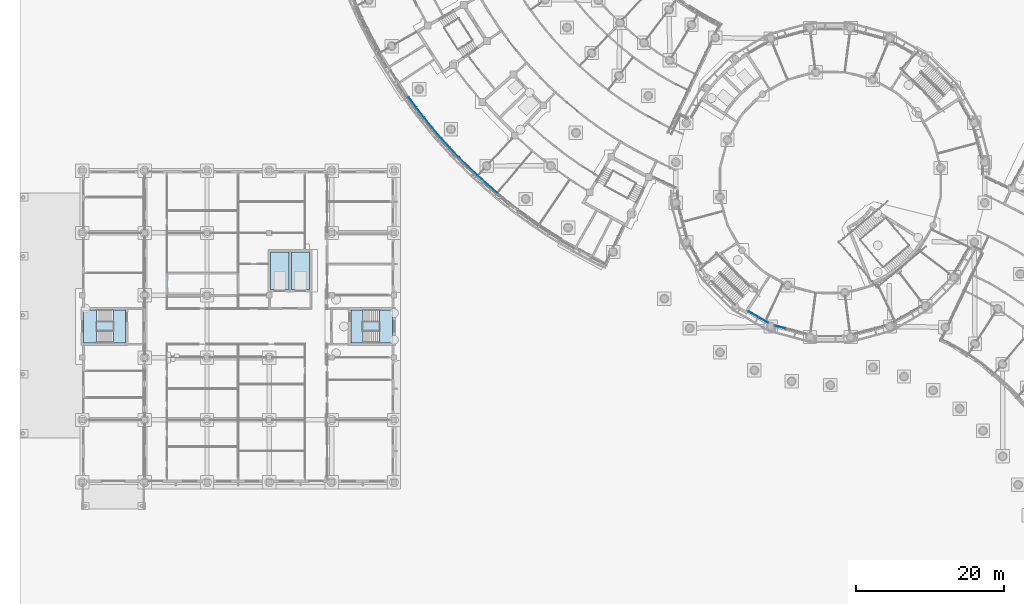
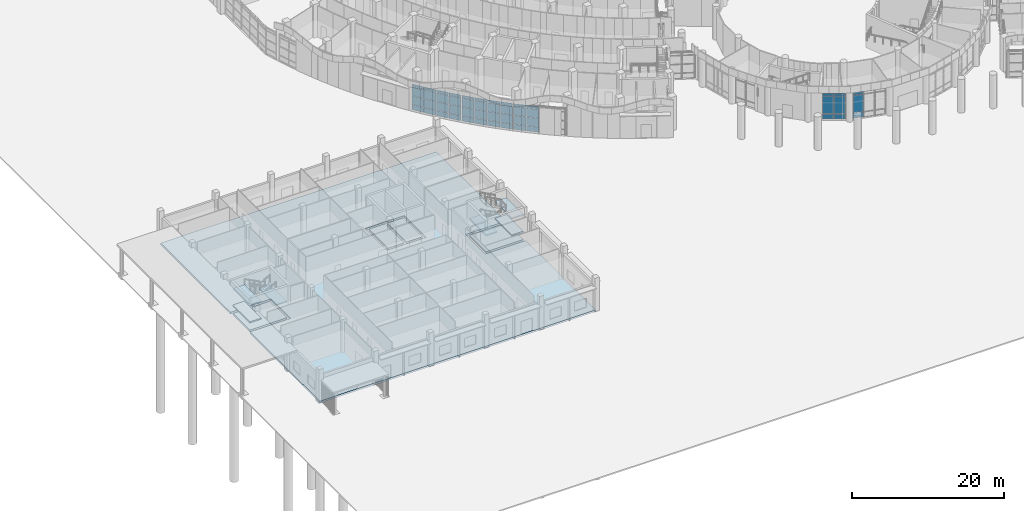
# One storey, part 39 of 146: 49 plates, 11 slabs, 7 elements without a shape of their own.
"""IFC4 building model written with IfcOpenShell, lengths in metres."""

import ifcopenshell
import ifcopenshell.guid

model = None  # the IFC model being written
_history = None  # IfcOwnerHistory: only IFC2X3 demands one
_inside = {}  # id of a spatial element -> (the spatial element, [elements in it])
_under = {}  # id of a project, library or spatial element -> (it, [spatial elements below it])
_declared = {}  # id of a project -> (the project, [libraries it declares])
_typed = {}  # id of a type object -> (the type object, [elements of that type])
_made_of = {}  # id of a material, layer set ... -> (it, [elements and type objects made of it])


def new_model(schema):
    """Start an empty IFC model of exactly this schema.

    Asked for "IFC4X3", IfcOpenShell would pick the latest addendum, in which some entities
    have other attributes; the version numbers below select the first issue.
    IFC2X3 requires an IfcOwnerHistory on every rooted entity: one is made here for all.
    """
    global model, _history
    if schema == "IFC4X3":
        model = ifcopenshell.file(schema_version=(4, 3, 0, 0))
    else:
        model = ifcopenshell.file(schema=schema)
    _inside.clear()
    _under.clear()
    _declared.clear()
    _typed.clear()
    _made_of.clear()
    _history = None
    if model.schema == "IFC2X3":
        org = make("IfcOrganization", Name="unknown")
        user = make(
            "IfcPersonAndOrganization",
            ThePerson=make("IfcPerson", FamilyName="unknown"),
            TheOrganization=org,
        )
        app = make(
            "IfcApplication",
            ApplicationDeveloper=org,
            Version="unknown",
            ApplicationFullName="unknown",
            ApplicationIdentifier="unknown",
        )
        _history = make(
            "IfcOwnerHistory",
            OwningUser=user,
            OwningApplication=app,
            ChangeAction="ADDED",
            CreationDate=0,
        )
    return model


def make(cls, **values):
    """One entity of the class cls with the attributes given. An attribute that is None is left unset."""
    return model.create_entity(
        cls, **{name: value for name, value in values.items() if value is not None}
    )


def rooted(cls, **values):
    """An entity with a GlobalId (a new one), such as an element, a storey or a relation."""
    return make(cls, GlobalId=ifcopenshell.guid.new(), OwnerHistory=_history, **values)


def si_unit(unit_type, name, prefix=None):
    """IfcSIUnit, for example si_unit("LENGTHUNIT", "METRE", prefix="MILLI")."""
    return make("IfcSIUnit", UnitType=unit_type, Prefix=prefix, Name=name)


def assignment(units):
    """IfcUnitAssignment: the units of a project."""
    return None if units is None else make("IfcUnitAssignment", Units=units)


def point(xyz):
    """IfcCartesianPoint."""
    return None if xyz is None else make("IfcCartesianPoint", Coordinates=xyz)


def direction(xyz):
    """IfcDirection."""
    return None if xyz is None else make("IfcDirection", DirectionRatios=xyz)


def frame(location, z_axis=None, x_axis=None):
    """IfcAxis2Placement3D, a coordinate frame: its origin and axes. An axis left out is left unset."""
    return make(
        "IfcAxis2Placement3D",
        Location=point(location),
        Axis=direction(z_axis),
        RefDirection=direction(x_axis),
    )


def frame_2d(location, x_axis=None):
    """IfcAxis2Placement2D, a coordinate frame in the plane: its origin and x axis."""
    return make(
        "IfcAxis2Placement2D", Location=point(location), RefDirection=direction(x_axis)
    )


def origin():
    """The frame at (0, 0, 0) with its axes left unset."""
    return frame((0.0, 0.0, 0.0))


def origin_2d():
    """The frame at (0, 0) in the plane with its x axis left unset."""
    return frame_2d((0.0, 0.0))


def place(relative_to, where):
    """IfcLocalPlacement: puts the frame where relative to a parent placement (None: the world)."""
    return make(
        "IfcLocalPlacement", PlacementRelTo=relative_to, RelativePlacement=where
    )


def context(
    kind, dimensions, precision=None, world=None, true_north=None, identifier=None
):
    """IfcGeometricRepresentationContext, for example the 3D "Model" context."""
    return make(
        "IfcGeometricRepresentationContext",
        ContextIdentifier=identifier,
        ContextType=kind,
        CoordinateSpaceDimension=dimensions,
        Precision=precision,
        WorldCoordinateSystem=world,
        TrueNorth=true_north,
    )


def subcontext(parent, identifier, kind, view, scale=None):
    """IfcGeometricRepresentationSubContext, for example "Body" below "Model"."""
    return make(
        "IfcGeometricRepresentationSubContext",
        ContextIdentifier=identifier,
        ContextType=kind,
        ParentContext=parent,
        TargetScale=scale,
        TargetView=view,
    )


def project(units=None, contexts=None):
    """IfcProject with its units and contexts."""
    return rooted(
        "IfcProject",
        Name="project",
        RepresentationContexts=contexts,
        UnitsInContext=assignment(units),
    )


def spatial(cls, under=None, at=None, **own):
    """A site, building, storey or space (cls), placed at a placement, below another one or the project."""
    s = rooted(cls, ObjectPlacement=at, **own)
    if under is not None:
        _under.setdefault(under.id(), (under, []))[1].append(s)
    return s


def polyline(points):
    """IfcPolyline through the points."""
    return make("IfcPolyline", Points=[point(p) for p in points])


def profile(cls, at=None, kind="AREA", **sizes):
    """A parametric profile (cls). Its sizes go by their IFC names, for example OverallWidth=200.0."""
    return make(cls, ProfileType=kind, Position=at, **sizes)


def rectangle(**sizes):
    """IfcRectangleProfileDef."""
    return profile("IfcRectangleProfileDef", **sizes)


def outline(outer, holes=None, kind="AREA"):
    """IfcArbitraryClosedProfileDef: a profile drawn as a closed curve; with holes, ...WithVoids."""
    if holes is None:
        return make("IfcArbitraryClosedProfileDef", ProfileType=kind, OuterCurve=outer)
    return make(
        "IfcArbitraryProfileDefWithVoids",
        ProfileType=kind,
        OuterCurve=outer,
        InnerCurves=holes,
    )


def extrude(swept, where, along, depth):
    """IfcExtrudedAreaSolid: the profile swept, set in the frame where, extruded along a direction by depth."""
    return make(
        "IfcExtrudedAreaSolid",
        SweptArea=swept,
        Position=where,
        ExtrudedDirection=direction(along),
        Depth=depth,
    )


def shape(context_of_items, identifier, shape_type, items):
    """IfcShapeRepresentation: the items that make up one representation, for example the "Body"."""
    return make(
        "IfcShapeRepresentation",
        ContextOfItems=context_of_items,
        RepresentationIdentifier=identifier,
        RepresentationType=shape_type,
        Items=items,
    )


def material(Name=None, Category=None):
    """IfcMaterial."""
    return make("IfcMaterial", Name=Name, Category=Category)


def layer(
    of_material, thickness, ventilated=None, Name=None, Category=None, Priority=None
):
    """IfcMaterialLayer: one layer of a wall or slab, of a material (None: an air gap)."""
    return make(
        "IfcMaterialLayer",
        Material=of_material,
        LayerThickness=thickness,
        IsVentilated=ventilated,
        Name=Name,
        Category=Category,
        Priority=Priority,
    )


def layer_set(layers, Name=None):
    """IfcMaterialLayerSet."""
    return make("IfcMaterialLayerSet", MaterialLayers=layers, LayerSetName=Name)


def made_of(thing, what):
    """Note that an element or type object is made of a material, layer set ...; save() writes the relation."""
    if what is not None:
        _made_of.setdefault(what.id(), (what, []))[1].append(thing)
    return thing


def type_object(cls, material=None, **own):
    """A type object (cls), such as IfcWallType, which elements share."""
    return made_of(rooted(cls, **own), material)


def element(
    cls,
    number,
    at=None,
    inside=None,
    cuts=None,
    type_object=None,
    material=None,
    context=None,
    identifier="Body",
    shape_type=None,
    held_by="IfcProductDefinitionShape",
    body=None,
    shapes=None,
    **own,
):
    """One element of the class cls, such as IfcWall. Its Tag is "e" and its number.

    at: its placement. inside: the storey or other place that contains it. cuts: it is an
    opening in that element (IfcRelVoidsElement). A single representation is given by context,
    identifier, shape_type and body (its items); several are given by shapes. held_by: the class
    of the entity that holds the representations. save() writes the other relations.
    """
    e = rooted(cls, Tag="e%d" % number, ObjectPlacement=at, **own)
    if body is not None:
        shapes = [shape(context, identifier, shape_type, body)]
    if shapes is not None:
        e.Representation = make(held_by, Representations=shapes)
    if inside is not None:
        _inside.setdefault(inside.id(), (inside, []))[1].append(e)
    if cuts is not None:
        rooted(
            "IfcRelVoidsElement", RelatingBuildingElement=cuts, RelatedOpeningElement=e
        )
    if type_object is not None:
        _typed.setdefault(type_object.id(), (type_object, []))[1].append(e)
    return made_of(e, material)


def aggregate(whole, parts):
    """IfcRelAggregates: a whole, such as a stair, and the parts it consists of."""
    return rooted("IfcRelAggregates", RelatingObject=whole, RelatedObjects=parts)


def save(model, path):
    """Write the relations noted so far, then the file.

    IfcRelAggregates (storeys below a building ...), IfcRelContainedInSpatialStructure (elements
    in a storey), IfcRelDefinesByType, IfcRelAssociatesMaterial and IfcRelDeclares: one each for
    every whole, place, type object, material and project.
    """
    for whole, parts in _under.values():
        aggregate(whole, parts)
    for where, things in _inside.values():
        rooted(
            "IfcRelContainedInSpatialStructure",
            RelatedElements=things,
            RelatingStructure=where,
        )
    for kind, things in _typed.values():
        rooted("IfcRelDefinesByType", RelatedObjects=things, RelatingType=kind)
    for what, things in _made_of.values():
        rooted("IfcRelAssociatesMaterial", RelatedObjects=things, RelatingMaterial=what)
    for by, libraries in _declared.values():
        rooted("IfcRelDeclares", RelatingContext=by, RelatedDefinitions=libraries)
    model.write(path)


model = new_model("IFC4")

# Units and contexts
model_context = context("Model", 3, precision=1e-05, world=origin(), true_north=direction((0.0, 1.0)))
body_context = subcontext(model_context, "Body", "Model", "MODEL_VIEW")
ifc_project = project(units=[si_unit("LENGTHUNIT", "METRE"), si_unit("AREAUNIT", "SQUARE_METRE"), si_unit("VOLUMEUNIT", "CUBIC_METRE"), si_unit("PLANEANGLEUNIT", "RADIAN"), si_unit("MASSUNIT", "GRAM", prefix="KILO")], contexts=[model_context])

# Site, building, storey
site_placement = place(None, origin())
site = spatial("IfcSite", under=ifc_project, at=site_placement, CompositionType="ELEMENT")
building_placement = place(site_placement, origin())
building = spatial("IfcBuilding", under=site, at=building_placement, Name="Bougainvillea Quay General Hospital", CompositionType="ELEMENT")
storey_placement = place(building_placement, origin())
storey = spatial("IfcBuildingStorey", under=building, at=storey_placement, Name="L00", CompositionType="ELEMENT", Elevation=0.0)

# Curtain wall, plates
ifc_material_1 = material(Name="Aluminium curtain wall system, powder-coated glazed", Category="aluminium")
curtain_wall_type_1 = type_object("IfcCurtainWallType", Name="Unitised curtain wall CW-2100", PredefinedType="NOTDEFINED", material=ifc_material_1)
curtain_wall_1_placement = place(storey_placement, origin())
curtain_wall_1 = element("IfcCurtainWall", 1, at=curtain_wall_1_placement, inside=storey, type_object=curtain_wall_type_1, Name="CW-W03 a01b2", PredefinedType="NOTDEFINED")
ifc_material_2 = material(Name="Insulated aluminium spandrel panel, white", Category="aluminium")
ifc_layer_1 = layer(ifc_material_2, 0.028076171875)
ifc_layer_set_1 = layer_set([ifc_layer_1], Name="Insulated aluminium spandrel panel, white")
plate_type_1 = type_object("IfcPlateType", Name="Insulated spandrel panel white 28", PredefinedType="CURTAIN_PANEL", material=ifc_layer_set_1)
plate_1_placement = place(storey_placement, frame((63.667724609375, 73.169189453125, 0.06005859375), z_axis=(0.0, 0.0, 1.0), x_axis=(-0.757490926264, 0.652845691283, 0.0)))
plate_1 = element("IfcPlate", 2, at=plate_1_placement, type_object=plate_type_1, Name="CW-W03 spandrel panel 3.1", PredefinedType="CURTAIN_PANEL", context=body_context, shape_type="SweptSolid", body=[
    extrude(rectangle(XDim=1.708740234375, YDim=0.028076171875, at=origin_2d()), origin(), (0.0, 0.0, 1.0), 0.81005859375),
])
plate_2_placement = place(storey_placement, frame((63.667724609375, 73.169189453125, 3.7802734375), z_axis=(0.0, 0.0, 1.0), x_axis=(-0.757490926264, 0.652845691283, 0.0)))
plate_2 = element("IfcPlate", 3, at=plate_2_placement, type_object=plate_type_1, Name="CW-W03 spandrel panel 3.4", PredefinedType="CURTAIN_PANEL", context=body_context, shape_type="SweptSolid", body=[
    extrude(rectangle(XDim=1.708740234375, YDim=0.028076171875, at=origin_2d()), origin(), (0.0, 0.0, 1.0), 0.409912109375),
])
plate_3_placement = place(storey_placement, frame((62.353759765625, 74.330810546875, 0.06005859375), z_axis=(0.0, 0.0, 1.0), x_axis=(-0.740693210613, 0.671843410143, 0.0)))
plate_3 = element("IfcPlate", 4, at=plate_3_placement, type_object=plate_type_1, Name="CW-W03 spandrel panel 4.1", PredefinedType="CURTAIN_PANEL", context=body_context, shape_type="SweptSolid", body=[
    extrude(rectangle(XDim=1.6787109375, YDim=0.028076171875, at=origin_2d()), origin(), (0.0, 0.0, 1.0), 0.81005859375),
])
plate_4_placement = place(storey_placement, frame((62.353759765625, 74.330810546875, 3.7802734375), z_axis=(0.0, 0.0, 1.0), x_axis=(-0.740693210613, 0.671843410143, 0.0)))
plate_4 = element("IfcPlate", 5, at=plate_4_placement, type_object=plate_type_1, Name="CW-W03 spandrel panel 4.4", PredefinedType="CURTAIN_PANEL", context=body_context, shape_type="SweptSolid", body=[
    extrude(rectangle(XDim=1.6787109375, YDim=0.028076171875, at=origin_2d()), origin(), (0.0, 0.0, 1.0), 0.409912109375),
])

curtain_wall_2_placement = place(storey_placement, origin())
curtain_wall_2 = element("IfcCurtainWall", 6, at=curtain_wall_2_placement, inside=storey, type_object=curtain_wall_type_1, Name="CW-W04 a01b3", PredefinedType="NOTDEFINED")
plate_5_placement = place(storey_placement, frame((61.037109375, 75.555908203125, 0.06005859375), z_axis=(0.0, 0.0, 1.0), x_axis=(-0.72341917251, 0.690409082244, 0.0)))
plate_5 = element("IfcPlate", 7, at=plate_5_placement, type_object=plate_type_1, Name="CW-W04 spandrel panel 1.1", PredefinedType="CURTAIN_PANEL", context=body_context, shape_type="SweptSolid", body=[
    extrude(rectangle(XDim=1.6787109375, YDim=0.028076171875, at=origin_2d()), origin(), (0.0, 0.0, 1.0), 0.81005859375),
])
plate_6_placement = place(storey_placement, frame((61.037109375, 75.555908203125, 3.7802734375), z_axis=(0.0, 0.0, 1.0), x_axis=(-0.72341917251, 0.690409082244, 0.0)))
plate_6 = element("IfcPlate", 8, at=plate_6_placement, type_object=plate_type_1, Name="CW-W04 spandrel panel 1.4", PredefinedType="CURTAIN_PANEL", context=body_context, shape_type="SweptSolid", body=[
    extrude(rectangle(XDim=1.6787109375, YDim=0.028076171875, at=origin_2d()), origin(), (0.0, 0.0, 1.0), 0.409912109375),
])
plate_7_placement = place(storey_placement, frame((59.783935546875, 76.78271484375, 0.06005859375), z_axis=(0.0, 0.0, 1.0), x_axis=(-0.705679920485, 0.708530768439, 0.0)))
plate_7 = element("IfcPlate", 9, at=plate_7_placement, type_object=plate_type_1, Name="CW-W04 spandrel panel 2.1", PredefinedType="CURTAIN_PANEL", context=body_context, shape_type="SweptSolid", body=[
    extrude(rectangle(XDim=1.708740234375, YDim=0.028076171875, at=origin_2d()), origin(), (0.0, 0.0, 1.0), 0.81005859375),
])
plate_8_placement = place(storey_placement, frame((59.783935546875, 76.78271484375, 3.7802734375), z_axis=(0.0, 0.0, 1.0), x_axis=(-0.705679920485, 0.708530768439, 0.0)))
plate_8 = element("IfcPlate", 10, at=plate_8_placement, type_object=plate_type_1, Name="CW-W04 spandrel panel 2.4", PredefinedType="CURTAIN_PANEL", context=body_context, shape_type="SweptSolid", body=[
    extrude(rectangle(XDim=1.708740234375, YDim=0.028076171875, at=origin_2d()), origin(), (0.0, 0.0, 1.0), 0.409912109375),
])
plate_9_placement = place(storey_placement, frame((58.5517578125, 78.0517578125, 0.06005859375), z_axis=(0.0, 0.0, 1.0), x_axis=(-0.687486862234, 0.726196815096, 0.0)))
plate_9 = element("IfcPlate", 11, at=plate_9_placement, type_object=plate_type_1, Name="CW-W04 spandrel panel 3.1", PredefinedType="CURTAIN_PANEL", context=body_context, shape_type="SweptSolid", body=[
    extrude(rectangle(XDim=1.708740234375, YDim=0.028076171875, at=origin_2d()), origin(), (0.0, 0.0, 1.0), 0.81005859375),
])
plate_10_placement = place(storey_placement, frame((58.5517578125, 78.0517578125, 3.7802734375), z_axis=(0.0, 0.0, 1.0), x_axis=(-0.687486862234, 0.726196815096, 0.0)))
plate_10 = element("IfcPlate", 12, at=plate_10_placement, type_object=plate_type_1, Name="CW-W04 spandrel panel 3.4", PredefinedType="CURTAIN_PANEL", context=body_context, shape_type="SweptSolid", body=[
    extrude(rectangle(XDim=1.708740234375, YDim=0.028076171875, at=origin_2d()), origin(), (0.0, 0.0, 1.0), 0.409912109375),
])
plate_11_placement = place(storey_placement, frame((57.3623046875, 79.340087890625, 0.06005859375), z_axis=(0.0, 0.0, 1.0), x_axis=(-0.668851697289, 0.743395861593, 0.0)))
plate_11 = element("IfcPlate", 13, at=plate_11_placement, type_object=plate_type_1, Name="CW-W04 spandrel panel 4.1", PredefinedType="CURTAIN_PANEL", context=body_context, shape_type="SweptSolid", body=[
    extrude(rectangle(XDim=1.6787109375, YDim=0.028076171875, at=origin_2d()), origin(), (0.0, 0.0, 1.0), 0.81005859375),
])
plate_12_placement = place(storey_placement, frame((57.3623046875, 79.340087890625, 3.7802734375), z_axis=(0.0, 0.0, 1.0), x_axis=(-0.668851697289, 0.743395861593, 0.0)))
plate_12 = element("IfcPlate", 14, at=plate_12_placement, type_object=plate_type_1, Name="CW-W04 spandrel panel 4.4", PredefinedType="CURTAIN_PANEL", context=body_context, shape_type="SweptSolid", body=[
    extrude(rectangle(XDim=1.6787109375, YDim=0.028076171875, at=origin_2d()), origin(), (0.0, 0.0, 1.0), 0.409912109375),
])

curtain_wall_3_placement = place(storey_placement, origin())
curtain_wall_3 = element("IfcCurtainWall", 15, at=curtain_wall_3_placement, inside=storey, type_object=curtain_wall_type_1, Name="CW-W05 a01b4", PredefinedType="NOTDEFINED")
plate_13_placement = place(storey_placement, frame((56.17626953125, 80.6923828125, 0.06005859375), z_axis=(0.0, 0.0, 1.0), x_axis=(-0.649786409486, 0.760116847627, 0.0)))
plate_13 = element("IfcPlate", 16, at=plate_13_placement, type_object=plate_type_1, Name="CW-W05 spandrel panel 1.1", PredefinedType="CURTAIN_PANEL", context=body_context, shape_type="SweptSolid", body=[
    extrude(rectangle(XDim=1.6787109375, YDim=0.028076171875, at=origin_2d()), origin(), (0.0, 0.0, 1.0), 0.81005859375),
])
plate_14_placement = place(storey_placement, frame((56.17626953125, 80.6923828125, 3.7802734375), z_axis=(0.0, 0.0, 1.0), x_axis=(-0.649786409486, 0.760116847627, 0.0)))
plate_14 = element("IfcPlate", 17, at=plate_14_placement, type_object=plate_type_1, Name="CW-W05 spandrel panel 1.4", PredefinedType="CURTAIN_PANEL", context=body_context, shape_type="SweptSolid", body=[
    extrude(rectangle(XDim=1.6787109375, YDim=0.028076171875, at=origin_2d()), origin(), (0.0, 0.0, 1.0), 0.409912109375),
])
plate_15_placement = place(storey_placement, frame((55.053955078125, 82.039794921875, 0.06005859375), z_axis=(0.0, 0.0, 1.0), x_axis=(-0.630303259266, 0.776349020324, 0.0)))
plate_15 = element("IfcPlate", 18, at=plate_15_placement, type_object=plate_type_1, Name="CW-W05 spandrel panel 2.1", PredefinedType="CURTAIN_PANEL", context=body_context, shape_type="SweptSolid", body=[
    extrude(rectangle(XDim=1.708740234375, YDim=0.028076171875, at=origin_2d()), origin(), (0.0, 0.0, 1.0), 0.81005859375),
])
plate_16_placement = place(storey_placement, frame((55.053955078125, 82.039794921875, 3.7802734375), z_axis=(0.0, 0.0, 1.0), x_axis=(-0.630303259266, 0.776349020324, 0.0)))
plate_16 = element("IfcPlate", 19, at=plate_16_placement, type_object=plate_type_1, Name="CW-W05 spandrel panel 2.4", PredefinedType="CURTAIN_PANEL", context=body_context, shape_type="SweptSolid", body=[
    extrude(rectangle(XDim=1.708740234375, YDim=0.028076171875, at=origin_2d()), origin(), (0.0, 0.0, 1.0), 0.409912109375),
])
plate_17_placement = place(storey_placement, frame((53.956787109375, 83.427001953125, 0.06005859375), z_axis=(0.0, 0.0, 1.0), x_axis=(-0.610414775786, 0.792081941154, 0.0)))
plate_17 = element("IfcPlate", 20, at=plate_17_placement, type_object=plate_type_1, Name="CW-W05 spandrel panel 3.1", PredefinedType="CURTAIN_PANEL", context=body_context, shape_type="SweptSolid", body=[
    extrude(rectangle(XDim=1.708740234375, YDim=0.028076171875, at=origin_2d()), origin(), (0.0, 0.0, 1.0), 0.81005859375),
])
plate_18_placement = place(storey_placement, frame((53.956787109375, 83.427001953125, 3.7802734375), z_axis=(0.0, 0.0, 1.0), x_axis=(-0.610414775786, 0.792081941154, 0.0)))
plate_18 = element("IfcPlate", 21, at=plate_18_placement, type_object=plate_type_1, Name="CW-W05 spandrel panel 3.4", PredefinedType="CURTAIN_PANEL", context=body_context, shape_type="SweptSolid", body=[
    extrude(rectangle(XDim=1.708740234375, YDim=0.028076171875, at=origin_2d()), origin(), (0.0, 0.0, 1.0), 0.409912109375),
])
plate_19_placement = place(storey_placement, frame((52.90380859375, 84.829345703125, 0.06005859375), z_axis=(0.0, 0.0, 1.0), x_axis=(-0.590133748864, 0.807305492643, 0.0)))
plate_19 = element("IfcPlate", 22, at=plate_19_placement, type_object=plate_type_1, Name="CW-W05 spandrel panel 4.1", PredefinedType="CURTAIN_PANEL", context=body_context, shape_type="SweptSolid", body=[
    extrude(rectangle(XDim=1.6787109375, YDim=0.028076171875, at=origin_2d()), origin(), (0.0, 0.0, 1.0), 0.81005859375),
])
plate_20_placement = place(storey_placement, frame((52.90380859375, 84.829345703125, 3.7802734375), z_axis=(0.0, 0.0, 1.0), x_axis=(-0.590133748864, 0.807305492643, 0.0)))
plate_20 = element("IfcPlate", 23, at=plate_20_placement, type_object=plate_type_1, Name="CW-W05 spandrel panel 4.4", PredefinedType="CURTAIN_PANEL", context=body_context, shape_type="SweptSolid", body=[
    extrude(rectangle(XDim=1.6787109375, YDim=0.028076171875, at=origin_2d()), origin(), (0.0, 0.0, 1.0), 0.409912109375),
])

curtain_wall_type_2 = type_object("IfcCurtainWallType", Name="Unitised curtain wall CW-1585", PredefinedType="NOTDEFINED", material=ifc_material_1)
curtain_wall_4_placement = place(storey_placement, origin())
curtain_wall_4 = element("IfcCurtainWall", 24, at=curtain_wall_4_placement, inside=storey, type_object=curtain_wall_type_2, Name="CW-D 00", PredefinedType="NOTDEFINED")
plate_21_placement = place(storey_placement, frame((98.8359375, 56.231689453125, 0.06005859375), z_axis=(0.0, 0.0, 1.0), x_axis=(0.866045865692, -0.499964557262, 0.0)))
plate_21 = element("IfcPlate", 25, at=plate_21_placement, type_object=plate_type_1, Name="CW-D spandrel panel 1.1", PredefinedType="CURTAIN_PANEL", context=body_context, shape_type="SweptSolid", body=[
    extrude(rectangle(XDim=1.494873046875, YDim=0.028076171875, at=origin_2d()), origin(), (0.0, 0.0, 1.0), 0.81005859375),
])
plate_22_placement = place(storey_placement, frame((98.8359375, 56.231689453125, 3.7802734375), z_axis=(0.0, 0.0, 1.0), x_axis=(0.866045865692, -0.499964557262, 0.0)))
plate_22 = element("IfcPlate", 26, at=plate_22_placement, type_object=plate_type_1, Name="CW-D spandrel panel 1.3", PredefinedType="CURTAIN_PANEL", context=body_context, shape_type="SweptSolid", body=[
    extrude(rectangle(XDim=1.494873046875, YDim=0.028076171875, at=origin_2d()), origin(), (0.0, 0.0, 1.0), 0.409912109375),
])
plate_23_placement = place(storey_placement, frame((100.1826171875, 55.4541015625, 0.06005859375), z_axis=(0.0, 0.0, 1.0), x_axis=(0.866045865692, -0.499964557262, 0.0)))
plate_23 = element("IfcPlate", 27, at=plate_23_placement, type_object=plate_type_1, Name="CW-D spandrel panel 2.1", PredefinedType="CURTAIN_PANEL", context=body_context, shape_type="SweptSolid", body=[
    extrude(rectangle(XDim=1.494873046875, YDim=0.028076171875, at=origin_2d()), origin(), (0.0, 0.0, 1.0), 0.81005859375),
])
plate_24_placement = place(storey_placement, frame((100.1826171875, 55.4541015625, 3.7802734375), z_axis=(0.0, 0.0, 1.0), x_axis=(0.866045865692, -0.499964557262, 0.0)))
plate_24 = element("IfcPlate", 28, at=plate_24_placement, type_object=plate_type_1, Name="CW-D spandrel panel 2.3", PredefinedType="CURTAIN_PANEL", context=body_context, shape_type="SweptSolid", body=[
    extrude(rectangle(XDim=1.494873046875, YDim=0.028076171875, at=origin_2d()), origin(), (0.0, 0.0, 1.0), 0.409912109375),
])

curtain_wall_type_3 = type_object("IfcCurtainWallType", Name="Unitised curtain wall CW-1514", PredefinedType="NOTDEFINED", material=ifc_material_1)
curtain_wall_5_placement = place(storey_placement, origin())
curtain_wall_5 = element("IfcCurtainWall", 29, at=curtain_wall_5_placement, inside=storey, type_object=curtain_wall_type_3, Name="CW-D 00", PredefinedType="NOTDEFINED")
plate_25_placement = place(storey_placement, frame((102.428466796875, 54.51904296875, 0.06005859375), z_axis=(0.0, 0.0, 1.0), x_axis=(0.965916292974, -0.258854621298, 0.0)))
plate_25 = element("IfcPlate", 30, at=plate_25_placement, type_object=plate_type_1, Name="CW-D spandrel panel 1.1", PredefinedType="CURTAIN_PANEL", context=body_context, shape_type="SweptSolid", body=[
    extrude(rectangle(XDim=1.423828125, YDim=0.028076171875, at=origin_2d()), origin(), (0.0, 0.0, 1.0), 0.81005859375),
])
plate_26_placement = place(storey_placement, frame((102.428466796875, 54.51904296875, 3.7802734375), z_axis=(0.0, 0.0, 1.0), x_axis=(0.965916292974, -0.258854621298, 0.0)))
plate_26 = element("IfcPlate", 31, at=plate_26_placement, type_object=plate_type_1, Name="CW-D spandrel panel 1.3", PredefinedType="CURTAIN_PANEL", context=body_context, shape_type="SweptSolid", body=[
    extrude(rectangle(XDim=1.423828125, YDim=0.028076171875, at=origin_2d()), origin(), (0.0, 0.0, 1.0), 0.409912109375),
])

# Plate
ifc_material_3 = material(Name="Low-e laminated glass, solar control", Category="glass")
ifc_layer_2 = layer(ifc_material_3, 0.028076171875)
ifc_layer_set_2 = layer_set([ifc_layer_2], Name="Low-e laminated glass, solar control")
plate_type_2 = type_object("IfcPlateType", Name="Low-e laminated vision glass 28", PredefinedType="CURTAIN_PANEL", material=ifc_layer_set_2)
plate_27_placement = place(storey_placement, frame((63.667724609375, 73.169189453125, 0.93017578125), z_axis=(0.0, 0.0, 1.0), x_axis=(-0.757490926264, 0.652845691283, 0.0)))
plate_27 = element("IfcPlate", 32, at=plate_27_placement, type_object=plate_type_2, Name="CW-W03 vision glass panel 3.2", PredefinedType="CURTAIN_PANEL", context=body_context, shape_type="SweptSolid", body=[
    extrude(rectangle(XDim=1.708740234375, YDim=0.028076171875, at=origin_2d()), origin(), (0.0, 0.0, 1.0), 1.364990234375),
])

plate_28_placement = place(storey_placement, frame((63.667724609375, 73.169189453125, 2.35498046875), z_axis=(0.0, 0.0, 1.0), x_axis=(-0.757490926264, 0.652845691283, 0.0)))
plate_28 = element("IfcPlate", 33, at=plate_28_placement, type_object=plate_type_2, Name="CW-W03 vision glass panel 3.3", PredefinedType="CURTAIN_PANEL", context=body_context, shape_type="SweptSolid", body=[
    extrude(rectangle(XDim=1.708740234375, YDim=0.028076171875, at=origin_2d()), origin(), (0.0, 0.0, 1.0), 1.364990234375),
])

plate_29_placement = place(storey_placement, frame((62.353759765625, 74.330810546875, 0.93017578125), z_axis=(0.0, 0.0, 1.0), x_axis=(-0.740693210613, 0.671843410143, 0.0)))
plate_29 = element("IfcPlate", 34, at=plate_29_placement, type_object=plate_type_2, Name="CW-W03 vision glass panel 4.2", PredefinedType="CURTAIN_PANEL", context=body_context, shape_type="SweptSolid", body=[
    extrude(rectangle(XDim=1.6787109375, YDim=0.028076171875, at=origin_2d()), origin(), (0.0, 0.0, 1.0), 1.364990234375),
])

plate_30_placement = place(storey_placement, frame((62.353759765625, 74.330810546875, 2.35498046875), z_axis=(0.0, 0.0, 1.0), x_axis=(-0.740693210613, 0.671843410143, 0.0)))
plate_30 = element("IfcPlate", 35, at=plate_30_placement, type_object=plate_type_2, Name="CW-W03 vision glass panel 4.3", PredefinedType="CURTAIN_PANEL", context=body_context, shape_type="SweptSolid", body=[
    extrude(rectangle(XDim=1.6787109375, YDim=0.028076171875, at=origin_2d()), origin(), (0.0, 0.0, 1.0), 1.364990234375),
])

aggregate(curtain_wall_1, [plate_1, plate_27, plate_28, plate_2, plate_3, plate_29, plate_30, plate_4])

plate_31_placement = place(storey_placement, frame((61.037109375, 75.555908203125, 0.93017578125), z_axis=(0.0, 0.0, 1.0), x_axis=(-0.72341917251, 0.690409082244, 0.0)))
plate_31 = element("IfcPlate", 36, at=plate_31_placement, type_object=plate_type_2, Name="CW-W04 vision glass panel 1.2", PredefinedType="CURTAIN_PANEL", context=body_context, shape_type="SweptSolid", body=[
    extrude(rectangle(XDim=1.6787109375, YDim=0.028076171875, at=origin_2d()), origin(), (0.0, 0.0, 1.0), 1.364990234375),
])

plate_32_placement = place(storey_placement, frame((61.037109375, 75.555908203125, 2.35498046875), z_axis=(0.0, 0.0, 1.0), x_axis=(-0.72341917251, 0.690409082244, 0.0)))
plate_32 = element("IfcPlate", 37, at=plate_32_placement, type_object=plate_type_2, Name="CW-W04 vision glass panel 1.3", PredefinedType="CURTAIN_PANEL", context=body_context, shape_type="SweptSolid", body=[
    extrude(rectangle(XDim=1.6787109375, YDim=0.028076171875, at=origin_2d()), origin(), (0.0, 0.0, 1.0), 1.364990234375),
])

plate_33_placement = place(storey_placement, frame((59.783935546875, 76.78271484375, 0.93017578125), z_axis=(0.0, 0.0, 1.0), x_axis=(-0.705679920485, 0.708530768439, 0.0)))
plate_33 = element("IfcPlate", 38, at=plate_33_placement, type_object=plate_type_2, Name="CW-W04 vision glass panel 2.2", PredefinedType="CURTAIN_PANEL", context=body_context, shape_type="SweptSolid", body=[
    extrude(rectangle(XDim=1.708740234375, YDim=0.028076171875, at=origin_2d()), origin(), (0.0, 0.0, 1.0), 1.364990234375),
])

plate_34_placement = place(storey_placement, frame((59.783935546875, 76.78271484375, 2.35498046875), z_axis=(0.0, 0.0, 1.0), x_axis=(-0.705679920485, 0.708530768439, 0.0)))
plate_34 = element("IfcPlate", 39, at=plate_34_placement, type_object=plate_type_2, Name="CW-W04 vision glass panel 2.3", PredefinedType="CURTAIN_PANEL", context=body_context, shape_type="SweptSolid", body=[
    extrude(rectangle(XDim=1.708740234375, YDim=0.028076171875, at=origin_2d()), origin(), (0.0, 0.0, 1.0), 1.364990234375),
])

plate_35_placement = place(storey_placement, frame((58.5517578125, 78.0517578125, 0.93017578125), z_axis=(0.0, 0.0, 1.0), x_axis=(-0.687486862234, 0.726196815096, 0.0)))
plate_35 = element("IfcPlate", 40, at=plate_35_placement, type_object=plate_type_2, Name="CW-W04 vision glass panel 3.2", PredefinedType="CURTAIN_PANEL", context=body_context, shape_type="SweptSolid", body=[
    extrude(rectangle(XDim=1.708740234375, YDim=0.028076171875, at=origin_2d()), origin(), (0.0, 0.0, 1.0), 1.364990234375),
])

plate_36_placement = place(storey_placement, frame((58.5517578125, 78.0517578125, 2.35498046875), z_axis=(0.0, 0.0, 1.0), x_axis=(-0.687486862234, 0.726196815096, 0.0)))
plate_36 = element("IfcPlate", 41, at=plate_36_placement, type_object=plate_type_2, Name="CW-W04 vision glass panel 3.3", PredefinedType="CURTAIN_PANEL", context=body_context, shape_type="SweptSolid", body=[
    extrude(rectangle(XDim=1.708740234375, YDim=0.028076171875, at=origin_2d()), origin(), (0.0, 0.0, 1.0), 1.364990234375),
])

plate_37_placement = place(storey_placement, frame((57.3623046875, 79.340087890625, 0.93017578125), z_axis=(0.0, 0.0, 1.0), x_axis=(-0.668851697289, 0.743395861593, 0.0)))
plate_37 = element("IfcPlate", 42, at=plate_37_placement, type_object=plate_type_2, Name="CW-W04 vision glass panel 4.2", PredefinedType="CURTAIN_PANEL", context=body_context, shape_type="SweptSolid", body=[
    extrude(rectangle(XDim=1.6787109375, YDim=0.028076171875, at=origin_2d()), origin(), (0.0, 0.0, 1.0), 1.364990234375),
])

plate_38_placement = place(storey_placement, frame((57.3623046875, 79.340087890625, 2.35498046875), z_axis=(0.0, 0.0, 1.0), x_axis=(-0.668851697289, 0.743395861593, 0.0)))
plate_38 = element("IfcPlate", 43, at=plate_38_placement, type_object=plate_type_2, Name="CW-W04 vision glass panel 4.3", PredefinedType="CURTAIN_PANEL", context=body_context, shape_type="SweptSolid", body=[
    extrude(rectangle(XDim=1.6787109375, YDim=0.028076171875, at=origin_2d()), origin(), (0.0, 0.0, 1.0), 1.364990234375),
])

aggregate(curtain_wall_2, [plate_5, plate_31, plate_32, plate_6, plate_7, plate_33, plate_34, plate_8, plate_9, plate_35, plate_36, plate_10, plate_11, plate_37, plate_38, plate_12])

plate_39_placement = place(storey_placement, frame((56.17626953125, 80.6923828125, 0.93017578125), z_axis=(0.0, 0.0, 1.0), x_axis=(-0.649786409486, 0.760116847627, 0.0)))
plate_39 = element("IfcPlate", 44, at=plate_39_placement, type_object=plate_type_2, Name="CW-W05 vision glass panel 1.2", PredefinedType="CURTAIN_PANEL", context=body_context, shape_type="SweptSolid", body=[
    extrude(rectangle(XDim=1.6787109375, YDim=0.028076171875, at=origin_2d()), origin(), (0.0, 0.0, 1.0), 1.364990234375),
])

plate_40_placement = place(storey_placement, frame((56.17626953125, 80.6923828125, 2.35498046875), z_axis=(0.0, 0.0, 1.0), x_axis=(-0.649786409486, 0.760116847627, 0.0)))
plate_40 = element("IfcPlate", 45, at=plate_40_placement, type_object=plate_type_2, Name="CW-W05 vision glass panel 1.3", PredefinedType="CURTAIN_PANEL", context=body_context, shape_type="SweptSolid", body=[
    extrude(rectangle(XDim=1.6787109375, YDim=0.028076171875, at=origin_2d()), origin(), (0.0, 0.0, 1.0), 1.364990234375),
])

plate_41_placement = place(storey_placement, frame((55.053955078125, 82.039794921875, 0.93017578125), z_axis=(0.0, 0.0, 1.0), x_axis=(-0.630303259266, 0.776349020324, 0.0)))
plate_41 = element("IfcPlate", 46, at=plate_41_placement, type_object=plate_type_2, Name="CW-W05 vision glass panel 2.2", PredefinedType="CURTAIN_PANEL", context=body_context, shape_type="SweptSolid", body=[
    extrude(rectangle(XDim=1.708740234375, YDim=0.028076171875, at=origin_2d()), origin(), (0.0, 0.0, 1.0), 1.364990234375),
])

plate_42_placement = place(storey_placement, frame((55.053955078125, 82.039794921875, 2.35498046875), z_axis=(0.0, 0.0, 1.0), x_axis=(-0.630303259266, 0.776349020324, 0.0)))
plate_42 = element("IfcPlate", 47, at=plate_42_placement, type_object=plate_type_2, Name="CW-W05 vision glass panel 2.3", PredefinedType="CURTAIN_PANEL", context=body_context, shape_type="SweptSolid", body=[
    extrude(rectangle(XDim=1.708740234375, YDim=0.028076171875, at=origin_2d()), origin(), (0.0, 0.0, 1.0), 1.364990234375),
])

plate_43_placement = place(storey_placement, frame((53.956787109375, 83.427001953125, 0.93017578125), z_axis=(0.0, 0.0, 1.0), x_axis=(-0.610414775786, 0.792081941154, 0.0)))
plate_43 = element("IfcPlate", 48, at=plate_43_placement, type_object=plate_type_2, Name="CW-W05 vision glass panel 3.2", PredefinedType="CURTAIN_PANEL", context=body_context, shape_type="SweptSolid", body=[
    extrude(rectangle(XDim=1.708740234375, YDim=0.028076171875, at=origin_2d()), origin(), (0.0, 0.0, 1.0), 1.364990234375),
])

plate_44_placement = place(storey_placement, frame((53.956787109375, 83.427001953125, 2.35498046875), z_axis=(0.0, 0.0, 1.0), x_axis=(-0.610414775786, 0.792081941154, 0.0)))
plate_44 = element("IfcPlate", 49, at=plate_44_placement, type_object=plate_type_2, Name="CW-W05 vision glass panel 3.3", PredefinedType="CURTAIN_PANEL", context=body_context, shape_type="SweptSolid", body=[
    extrude(rectangle(XDim=1.708740234375, YDim=0.028076171875, at=origin_2d()), origin(), (0.0, 0.0, 1.0), 1.364990234375),
])

plate_45_placement = place(storey_placement, frame((52.90380859375, 84.829345703125, 0.93017578125), z_axis=(0.0, 0.0, 1.0), x_axis=(-0.590133748864, 0.807305492643, 0.0)))
plate_45 = element("IfcPlate", 50, at=plate_45_placement, type_object=plate_type_2, Name="CW-W05 vision glass panel 4.2", PredefinedType="CURTAIN_PANEL", context=body_context, shape_type="SweptSolid", body=[
    extrude(rectangle(XDim=1.6787109375, YDim=0.028076171875, at=origin_2d()), origin(), (0.0, 0.0, 1.0), 1.364990234375),
])

plate_46_placement = place(storey_placement, frame((52.90380859375, 84.829345703125, 2.35498046875), z_axis=(0.0, 0.0, 1.0), x_axis=(-0.590133748864, 0.807305492643, 0.0)))
plate_46 = element("IfcPlate", 51, at=plate_46_placement, type_object=plate_type_2, Name="CW-W05 vision glass panel 4.3", PredefinedType="CURTAIN_PANEL", context=body_context, shape_type="SweptSolid", body=[
    extrude(rectangle(XDim=1.6787109375, YDim=0.028076171875, at=origin_2d()), origin(), (0.0, 0.0, 1.0), 1.364990234375),
])

aggregate(curtain_wall_3, [plate_13, plate_39, plate_40, plate_14, plate_15, plate_41, plate_42, plate_16, plate_17, plate_43, plate_44, plate_18, plate_19, plate_45, plate_46, plate_20])

plate_47_placement = place(storey_placement, frame((98.8359375, 56.231689453125, 0.929931640625), z_axis=(0.0, 0.0, 1.0), x_axis=(0.866045865692, -0.499964557262, 0.0)))
plate_47 = element("IfcPlate", 52, at=plate_47_placement, type_object=plate_type_2, Name="CW-D vision glass panel 1.2", PredefinedType="CURTAIN_PANEL", context=body_context, shape_type="SweptSolid", body=[
    extrude(rectangle(XDim=1.494873046875, YDim=0.028076171875, at=origin_2d()), origin(), (0.0, 0.0, 1.0), 2.7900390625),
])

plate_48_placement = place(storey_placement, frame((100.1826171875, 55.4541015625, 0.929931640625), z_axis=(0.0, 0.0, 1.0), x_axis=(0.866045865692, -0.499964557262, 0.0)))
plate_48 = element("IfcPlate", 53, at=plate_48_placement, type_object=plate_type_2, Name="CW-D vision glass panel 2.2", PredefinedType="CURTAIN_PANEL", context=body_context, shape_type="SweptSolid", body=[
    extrude(rectangle(XDim=1.494873046875, YDim=0.028076171875, at=origin_2d()), origin(), (0.0, 0.0, 1.0), 2.7900390625),
])

aggregate(curtain_wall_4, [plate_21, plate_47, plate_22, plate_23, plate_48, plate_24])

plate_49_placement = place(storey_placement, frame((102.428466796875, 54.51904296875, 0.929931640625), z_axis=(0.0, 0.0, 1.0), x_axis=(0.965916292974, -0.258854621298, 0.0)))
plate_49 = element("IfcPlate", 54, at=plate_49_placement, type_object=plate_type_2, Name="CW-D vision glass panel 1.2", PredefinedType="CURTAIN_PANEL", context=body_context, shape_type="SweptSolid", body=[
    extrude(rectangle(XDim=1.423828125, YDim=0.028076171875, at=origin_2d()), origin(), (0.0, 0.0, 1.0), 2.7900390625),
])

aggregate(curtain_wall_5, [plate_25, plate_49, plate_26])

# Slabs
ifc_material_4 = material(Name="Concrete C35", Category="concrete")
ifc_layer_3 = layer(ifc_material_4, 0.300048828125)
ifc_layer_set_3 = layer_set([ifc_layer_3], Name="Concrete C35")
slab_type_1 = type_object("IfcSlabType", Name="RC FLAT SLAB 300 C35 GROUND", PredefinedType="BASESLAB", material=ifc_layer_set_3)
slab_1_placement = place(storey_placement, frame((0.0, 0.0, -0.300048828125)))
element("IfcSlab", 55, at=slab_1_placement, inside=storey, type_object=slab_type_1, Name="Slab S1 L00", PredefinedType="BASESLAB", context=body_context, shape_type="SweptSolid", body=[
    extrude(outline(polyline([(8.39990234375, 33.60009765625), (50.39990234375, 33.60009765625), (50.39990234375, 52.02490234375), (50.22509765625, 52.02490234375), (44.574951171875, 52.02490234375), (44.22509765625, 52.02490234375), (44.22509765625, 56.824951171875), (44.22509765625, 57.175048828125), (50.22509765625, 57.175048828125), (50.39990234375, 57.175048828125), (50.39990234375, 75.60009765625), (8.39990234375, 75.60009765625), (8.39990234375, 57.175048828125), (14.22509765625, 57.175048828125), (14.574951171875, 57.175048828125), (14.574951171875, 52.02490234375), (14.22509765625, 52.02490234375), (8.574951171875, 52.02490234375), (8.39990234375, 52.02490234375), (8.39990234375, 33.60009765625)]), holes=[polyline([(33.425048828125, 59.22509765625), (33.425048828125, 64.625), (33.425048828125, 64.97509765625), (36.39990234375, 64.97509765625), (39.02490234375, 64.97509765625), (39.375, 64.97509765625), (39.375, 59.22509765625), (39.02490234375, 59.22509765625), (36.39990234375, 59.22509765625), (33.77490234375, 59.22509765625), (33.425048828125, 59.22509765625)])]), origin(), (0.0, 0.0, 1.0), 0.300048828125),
])
slab_2_placement = place(storey_placement, frame((0.0, 0.0, -0.300048828125)))
element("IfcSlab", 56, at=slab_2_placement, inside=storey, type_object=slab_type_1, Name="Slab S1 L00", PredefinedType="BASESLAB", context=body_context, shape_type="SweptSolid", body=[
    extrude(outline(polyline([(44.574951171875, 52.375), (50.22509765625, 52.375), (50.22509765625, 56.824951171875), (44.574951171875, 56.824951171875), (44.574951171875, 52.375)])), origin(), (0.0, 0.0, 1.0), 0.300048828125),
])
slab_3_placement = place(storey_placement, frame((0.0, 0.0, -0.300048828125)))
element("IfcSlab", 57, at=slab_3_placement, inside=storey, type_object=slab_type_1, Name="Slab S1 L00", PredefinedType="BASESLAB", context=body_context, shape_type="SweptSolid", body=[
    extrude(outline(polyline([(14.22509765625, 56.824951171875), (8.574951171875, 56.824951171875), (8.574951171875, 52.375), (14.22509765625, 52.375), (14.22509765625, 56.824951171875)])), origin(), (0.0, 0.0, 1.0), 0.300048828125),
])
slab_4_placement = place(storey_placement, frame((0.0, 0.0, -0.300048828125)))
element("IfcSlab", 58, at=slab_4_placement, inside=storey, type_object=slab_type_1, Name="Slab S1 L00", PredefinedType="BASESLAB", context=body_context, shape_type="SweptSolid", body=[
    extrude(outline(polyline([(36.574951171875, 59.574951171875), (39.02490234375, 59.574951171875), (39.02490234375, 64.625), (36.574951171875, 64.625), (36.574951171875, 59.574951171875)])), origin(), (0.0, 0.0, 1.0), 0.300048828125),
])
slab_5_placement = place(storey_placement, frame((0.0, 0.0, -0.300048828125)))
element("IfcSlab", 59, at=slab_5_placement, inside=storey, type_object=slab_type_1, Name="Slab S1 L00", PredefinedType="BASESLAB", context=body_context, shape_type="SweptSolid", body=[
    extrude(outline(polyline([(36.22509765625, 59.574951171875), (36.22509765625, 64.625), (33.77490234375, 64.625), (33.77490234375, 59.574951171875), (36.22509765625, 59.574951171875)])), origin(), (0.0, 0.0, 1.0), 0.300048828125),
])

# Stair, slabs
stair_type = type_object("IfcStairType", Name="Stair half-turn 1650 wide", PredefinedType="HALF_TURN_STAIR", material=ifc_material_4)
stair_1_placement = place(storey_placement, origin())
stair_1 = element("IfcStair", 60, at=stair_1_placement, inside=storey, type_object=stair_type, Name="L00 stair ST-U1", PredefinedType="HALF_TURN_STAIR")
ifc_layer_4 = layer(ifc_material_4, 0.199951171875)
ifc_layer_set_4 = layer_set([ifc_layer_4], Name="Concrete C35")
slab_type_2 = type_object("IfcSlabType", Name="Stair landing 200", PredefinedType="LANDING", material=ifc_layer_set_4)
slab_6_placement = place(storey_placement, frame((0.0, 0.0, 1.14990234375)))
slab_6 = element("IfcSlab", 61, at=slab_6_placement, type_object=slab_type_2, Name="ST-U1 landing 1", PredefinedType="LANDING", context=body_context, shape_type="SweptSolid", body=[
    extrude(outline(polyline([(10.3349609375, 56.824951171875), (8.574951171875, 56.824951171875), (8.574951171875, 52.375), (10.3349609375, 52.375), (10.3349609375, 56.824951171875)])), origin(), (0.0, 0.0, 1.0), 0.2001953125),
])
slab_7_placement = place(storey_placement, frame((0.0, 0.0, 2.5)))
slab_7 = element("IfcSlab", 62, at=slab_7_placement, type_object=slab_type_2, Name="ST-U1 landing 2", PredefinedType="LANDING", context=body_context, shape_type="SweptSolid", body=[
    extrude(outline(polyline([(14.22509765625, 56.824951171875), (12.574951171875, 56.824951171875), (12.574951171875, 52.375), (14.22509765625, 52.375), (14.22509765625, 56.824951171875)])), origin(), (0.0, 0.0, 1.0), 0.199951171875),
])
slab_8_placement = place(storey_placement, frame((0.0, 0.0, 3.85009765625)))
slab_8 = element("IfcSlab", 63, at=slab_8_placement, type_object=slab_type_2, Name="ST-U1 landing 3", PredefinedType="LANDING", context=body_context, shape_type="SweptSolid", body=[
    extrude(outline(polyline([(10.3349609375, 56.824951171875), (8.574951171875, 56.824951171875), (8.574951171875, 52.375), (10.3349609375, 52.375), (10.3349609375, 56.824951171875)])), origin(), (0.0, 0.0, 1.0), 0.199951171875),
])
aggregate(stair_1, [slab_6, slab_7, slab_8])

stair_2_placement = place(storey_placement, origin())
stair_2 = element("IfcStair", 64, at=stair_2_placement, inside=storey, type_object=stair_type, Name="L00 stair ST-U2", PredefinedType="HALF_TURN_STAIR")
slab_9_placement = place(storey_placement, frame((0.0, 0.0, 1.14990234375)))
slab_9 = element("IfcSlab", 65, at=slab_9_placement, type_object=slab_type_2, Name="ST-U2 landing 1", PredefinedType="LANDING", context=body_context, shape_type="SweptSolid", body=[
    extrude(outline(polyline([(48.465087890625, 52.375), (50.22509765625, 52.375), (50.22509765625, 56.824951171875), (48.465087890625, 56.824951171875), (48.465087890625, 52.375)])), origin(), (0.0, 0.0, 1.0), 0.2001953125),
])
slab_10_placement = place(storey_placement, frame((0.0, 0.0, 2.5)))
slab_10 = element("IfcSlab", 66, at=slab_10_placement, type_object=slab_type_2, Name="ST-U2 landing 2", PredefinedType="LANDING", context=body_context, shape_type="SweptSolid", body=[
    extrude(outline(polyline([(44.574951171875, 52.375), (46.22509765625, 52.375), (46.22509765625, 56.824951171875), (44.574951171875, 56.824951171875), (44.574951171875, 52.375)])), origin(), (0.0, 0.0, 1.0), 0.199951171875),
])
slab_11_placement = place(storey_placement, frame((0.0, 0.0, 3.85009765625)))
slab_11 = element("IfcSlab", 67, at=slab_11_placement, type_object=slab_type_2, Name="ST-U2 landing 3", PredefinedType="LANDING", context=body_context, shape_type="SweptSolid", body=[
    extrude(outline(polyline([(48.465087890625, 52.375), (50.22509765625, 52.375), (50.22509765625, 56.824951171875), (48.465087890625, 56.824951171875), (48.465087890625, 52.375)])), origin(), (0.0, 0.0, 1.0), 0.199951171875),
])
aggregate(stair_2, [slab_9, slab_10, slab_11])

save(model, "model.ifc")
